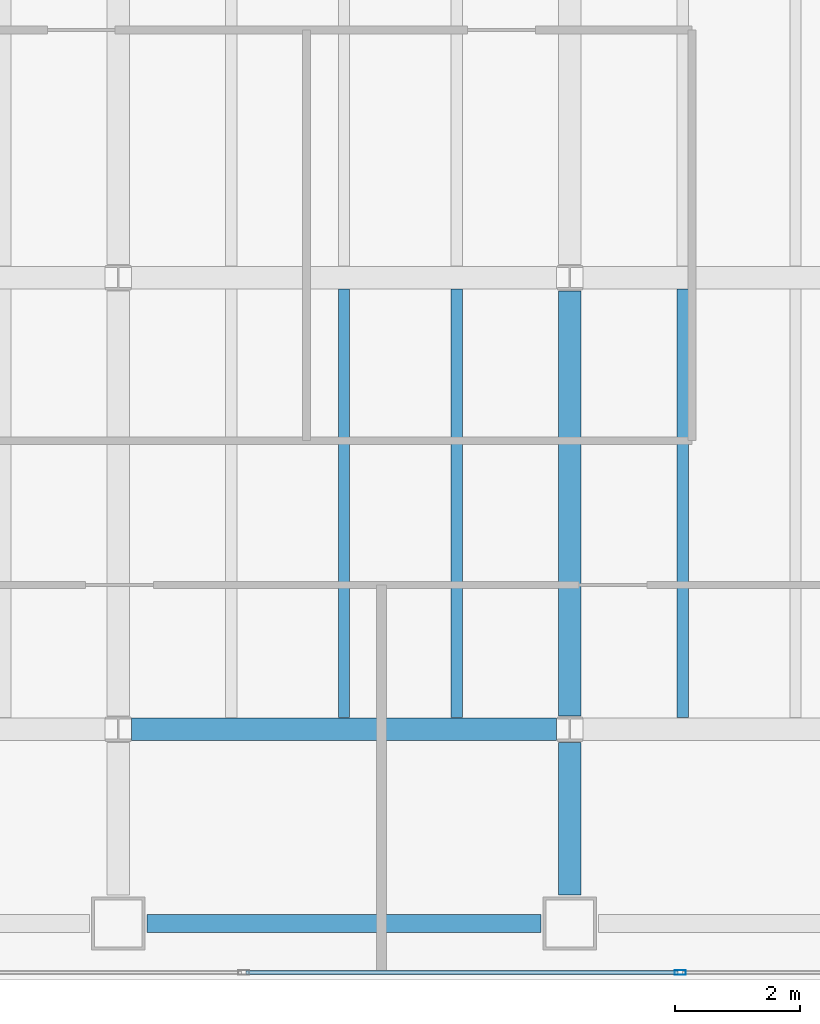
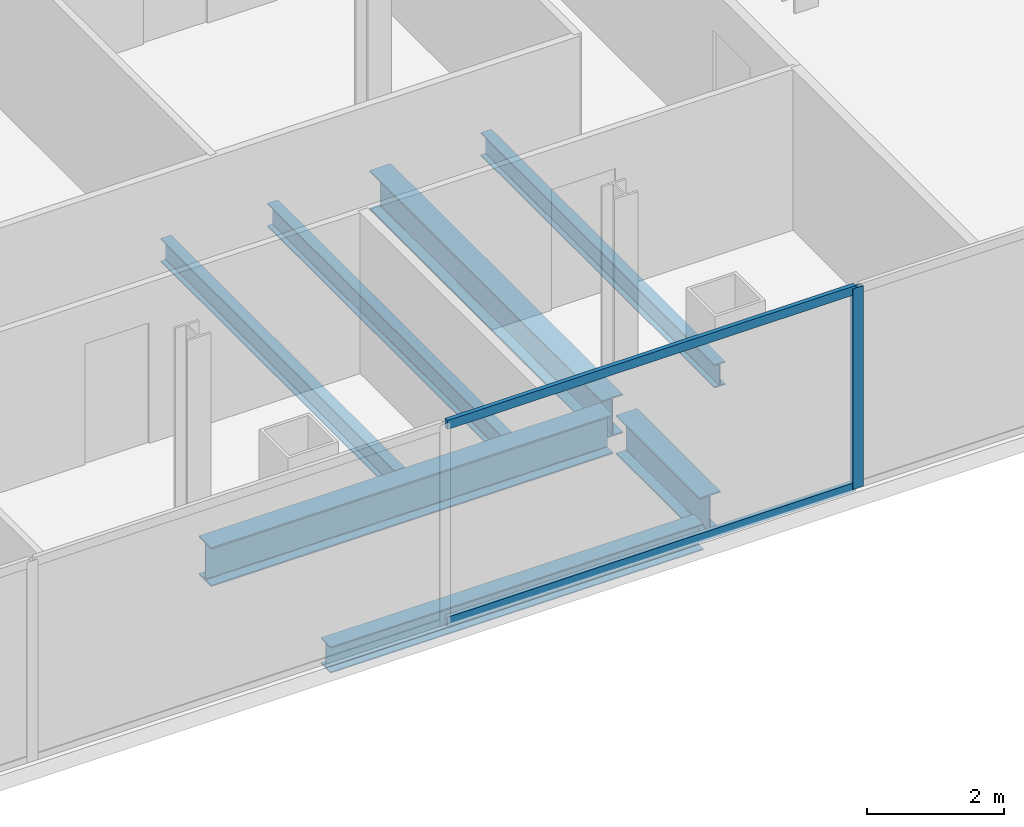
# One storey, part 5 of 23: 7 beams, 3 members, 1 element without a shape of its own.
"""IFC4 building model written with IfcOpenShell, lengths in metres."""

import ifcopenshell
import ifcopenshell.guid

model = None  # the IFC model being written
_history = None  # IfcOwnerHistory: only IFC2X3 demands one
_inside = {}  # id of a spatial element -> (the spatial element, [elements in it])
_under = {}  # id of a project, library or spatial element -> (it, [spatial elements below it])
_declared = {}  # id of a project -> (the project, [libraries it declares])
_typed = {}  # id of a type object -> (the type object, [elements of that type])
_made_of = {}  # id of a material, layer set ... -> (it, [elements and type objects made of it])


def new_model(schema):
    """Start an empty IFC model of exactly this schema.

    Asked for "IFC4X3", IfcOpenShell would pick the latest addendum, in which some entities
    have other attributes; the version numbers below select the first issue.
    IFC2X3 requires an IfcOwnerHistory on every rooted entity: one is made here for all.
    """
    global model, _history
    if schema == "IFC4X3":
        model = ifcopenshell.file(schema_version=(4, 3, 0, 0))
    else:
        model = ifcopenshell.file(schema=schema)
    _inside.clear()
    _under.clear()
    _declared.clear()
    _typed.clear()
    _made_of.clear()
    _history = None
    if model.schema == "IFC2X3":
        org = make("IfcOrganization", Name="unknown")
        user = make(
            "IfcPersonAndOrganization",
            ThePerson=make("IfcPerson", FamilyName="unknown"),
            TheOrganization=org,
        )
        app = make(
            "IfcApplication",
            ApplicationDeveloper=org,
            Version="unknown",
            ApplicationFullName="unknown",
            ApplicationIdentifier="unknown",
        )
        _history = make(
            "IfcOwnerHistory",
            OwningUser=user,
            OwningApplication=app,
            ChangeAction="ADDED",
            CreationDate=0,
        )
    return model


def make(cls, **values):
    """One entity of the class cls with the attributes given. An attribute that is None is left unset."""
    return model.create_entity(
        cls, **{name: value for name, value in values.items() if value is not None}
    )


def rooted(cls, **values):
    """An entity with a GlobalId (a new one), such as an element, a storey or a relation."""
    return make(cls, GlobalId=ifcopenshell.guid.new(), OwnerHistory=_history, **values)


def si_unit(unit_type, name, prefix=None):
    """IfcSIUnit, for example si_unit("LENGTHUNIT", "METRE", prefix="MILLI")."""
    return make("IfcSIUnit", UnitType=unit_type, Prefix=prefix, Name=name)


def assignment(units):
    """IfcUnitAssignment: the units of a project."""
    return None if units is None else make("IfcUnitAssignment", Units=units)


def point(xyz):
    """IfcCartesianPoint."""
    return None if xyz is None else make("IfcCartesianPoint", Coordinates=xyz)


def direction(xyz):
    """IfcDirection."""
    return None if xyz is None else make("IfcDirection", DirectionRatios=xyz)


def frame(location, z_axis=None, x_axis=None):
    """IfcAxis2Placement3D, a coordinate frame: its origin and axes. An axis left out is left unset."""
    return make(
        "IfcAxis2Placement3D",
        Location=point(location),
        Axis=direction(z_axis),
        RefDirection=direction(x_axis),
    )


def frame_2d(location, x_axis=None):
    """IfcAxis2Placement2D, a coordinate frame in the plane: its origin and x axis."""
    return make(
        "IfcAxis2Placement2D", Location=point(location), RefDirection=direction(x_axis)
    )


def origin():
    """The frame at (0, 0, 0) with its axes left unset."""
    return frame((0.0, 0.0, 0.0))


def origin_2d():
    """The frame at (0, 0) in the plane with its x axis left unset."""
    return frame_2d((0.0, 0.0))


def place(relative_to, where):
    """IfcLocalPlacement: puts the frame where relative to a parent placement (None: the world)."""
    return make(
        "IfcLocalPlacement", PlacementRelTo=relative_to, RelativePlacement=where
    )


def context(
    kind, dimensions, precision=None, world=None, true_north=None, identifier=None
):
    """IfcGeometricRepresentationContext, for example the 3D "Model" context."""
    return make(
        "IfcGeometricRepresentationContext",
        ContextIdentifier=identifier,
        ContextType=kind,
        CoordinateSpaceDimension=dimensions,
        Precision=precision,
        WorldCoordinateSystem=world,
        TrueNorth=true_north,
    )


def subcontext(parent, identifier, kind, view, scale=None):
    """IfcGeometricRepresentationSubContext, for example "Body" below "Model"."""
    return make(
        "IfcGeometricRepresentationSubContext",
        ContextIdentifier=identifier,
        ContextType=kind,
        ParentContext=parent,
        TargetScale=scale,
        TargetView=view,
    )


def project(units=None, contexts=None):
    """IfcProject with its units and contexts."""
    return rooted(
        "IfcProject",
        Name="project",
        RepresentationContexts=contexts,
        UnitsInContext=assignment(units),
    )


def spatial(cls, under=None, at=None, **own):
    """A site, building, storey or space (cls), placed at a placement, below another one or the project."""
    s = rooted(cls, ObjectPlacement=at, **own)
    if under is not None:
        _under.setdefault(under.id(), (under, []))[1].append(s)
    return s


def profile(cls, at=None, kind="AREA", **sizes):
    """A parametric profile (cls). Its sizes go by their IFC names, for example OverallWidth=200.0."""
    return make(cls, ProfileType=kind, Position=at, **sizes)


def hollow_rectangle(**sizes):
    """IfcRectangleHollowProfileDef."""
    return profile("IfcRectangleHollowProfileDef", **sizes)


def i_section(**sizes):
    """IfcIShapeProfileDef."""
    return profile("IfcIShapeProfileDef", **sizes)


def extrude(swept, where, along, depth):
    """IfcExtrudedAreaSolid: the profile swept, set in the frame where, extruded along a direction by depth."""
    return make(
        "IfcExtrudedAreaSolid",
        SweptArea=swept,
        Position=where,
        ExtrudedDirection=direction(along),
        Depth=depth,
    )


def shape(context_of_items, identifier, shape_type, items):
    """IfcShapeRepresentation: the items that make up one representation, for example the "Body"."""
    return make(
        "IfcShapeRepresentation",
        ContextOfItems=context_of_items,
        RepresentationIdentifier=identifier,
        RepresentationType=shape_type,
        Items=items,
    )


def material(Name=None, Category=None):
    """IfcMaterial."""
    return make("IfcMaterial", Name=Name, Category=Category)


def material_profile(
    of_material, cross_section, Name=None, Category=None, Priority=None
):
    """IfcMaterialProfile: a cross section and its material."""
    return make(
        "IfcMaterialProfile",
        Name=Name,
        Material=of_material,
        Profile=cross_section,
        Priority=Priority,
        Category=Category,
    )


def profile_set(profiles, Name=None, composite=None):
    """IfcMaterialProfileSet."""
    return make(
        "IfcMaterialProfileSet",
        Name=Name,
        MaterialProfiles=profiles,
        CompositeProfile=composite,
    )


def made_of(thing, what):
    """Note that an element or type object is made of a material, layer set ...; save() writes the relation."""
    if what is not None:
        _made_of.setdefault(what.id(), (what, []))[1].append(thing)
    return thing


def type_object(cls, material=None, **own):
    """A type object (cls), such as IfcWallType, which elements share."""
    return made_of(rooted(cls, **own), material)


def element(
    cls,
    number,
    at=None,
    inside=None,
    cuts=None,
    type_object=None,
    material=None,
    context=None,
    identifier="Body",
    shape_type=None,
    held_by="IfcProductDefinitionShape",
    body=None,
    shapes=None,
    **own,
):
    """One element of the class cls, such as IfcWall. Its Tag is "e" and its number.

    at: its placement. inside: the storey or other place that contains it. cuts: it is an
    opening in that element (IfcRelVoidsElement). A single representation is given by context,
    identifier, shape_type and body (its items); several are given by shapes. held_by: the class
    of the entity that holds the representations. save() writes the other relations.
    """
    e = rooted(cls, Tag="e%d" % number, ObjectPlacement=at, **own)
    if body is not None:
        shapes = [shape(context, identifier, shape_type, body)]
    if shapes is not None:
        e.Representation = make(held_by, Representations=shapes)
    if inside is not None:
        _inside.setdefault(inside.id(), (inside, []))[1].append(e)
    if cuts is not None:
        rooted(
            "IfcRelVoidsElement", RelatingBuildingElement=cuts, RelatedOpeningElement=e
        )
    if type_object is not None:
        _typed.setdefault(type_object.id(), (type_object, []))[1].append(e)
    return made_of(e, material)


def aggregate(whole, parts):
    """IfcRelAggregates: a whole, such as a stair, and the parts it consists of."""
    return rooted("IfcRelAggregates", RelatingObject=whole, RelatedObjects=parts)


def save(model, path):
    """Write the relations noted so far, then the file.

    IfcRelAggregates (storeys below a building ...), IfcRelContainedInSpatialStructure (elements
    in a storey), IfcRelDefinesByType, IfcRelAssociatesMaterial and IfcRelDeclares: one each for
    every whole, place, type object, material and project.
    """
    for whole, parts in _under.values():
        aggregate(whole, parts)
    for where, things in _inside.values():
        rooted(
            "IfcRelContainedInSpatialStructure",
            RelatedElements=things,
            RelatingStructure=where,
        )
    for kind, things in _typed.values():
        rooted("IfcRelDefinesByType", RelatedObjects=things, RelatingType=kind)
    for what, things in _made_of.values():
        rooted("IfcRelAssociatesMaterial", RelatedObjects=things, RelatingMaterial=what)
    for by, libraries in _declared.values():
        rooted("IfcRelDeclares", RelatingContext=by, RelatedDefinitions=libraries)
    model.write(path)


model = new_model("IFC4")

# Units and contexts
model_context = context("Model", 3, precision=1e-05, world=origin(), true_north=direction((0.0, 1.0)))
body_context = subcontext(model_context, "Body", "Model", "MODEL_VIEW")
ifc_project = project(units=[si_unit("LENGTHUNIT", "METRE"), si_unit("AREAUNIT", "SQUARE_METRE"), si_unit("VOLUMEUNIT", "CUBIC_METRE"), si_unit("PLANEANGLEUNIT", "RADIAN"), si_unit("MASSUNIT", "GRAM", prefix="KILO")], contexts=[model_context])

# Site, building, storey
site_placement = place(None, origin())
site = spatial("IfcSite", under=ifc_project, at=site_placement, CompositionType="ELEMENT")
building_placement = place(site_placement, origin())
building = spatial("IfcBuilding", under=site, at=building_placement, Name="Cobrela Telecom Tower", CompositionType="ELEMENT")
storey_placement = place(building_placement, frame((0.0, 0.0, 148.39990234375)))
storey = spatial("IfcBuildingStorey", under=building, at=storey_placement, Name="L37", CompositionType="ELEMENT", Elevation=148.39990234375)

# Beams
ifc_material_1 = material(Name="Steel ASTM A992 Grade 50", Category="steel")
ifc_material_profile_1 = material_profile(ifc_material_1, i_section(OverallWidth=0.35595703125, OverallDepth=0.696044921875, WebThickness=0.015380859375, FlangeThickness=0.024658203125, FilletRadius=0.01806640625, at=origin_2d()), Name="W27X146")
ifc_profile_set_1 = profile_set([ifc_material_profile_1], Name="Steel ASTM A992 Grade 50")
beam_type_1 = type_object("IfcBeamType", Name="BM-GIRD-05", PredefinedType="USERDEFINED", material=ifc_profile_set_1)
beam_1_placement = place(storey_placement, frame((21.8095703125, 7.199951171875, -0.617919921875), z_axis=(1.0, 0.0, 0.0), x_axis=(0.0, 1.0, 0.0)))
element("IfcBeam", 1, at=beam_1_placement, inside=storey, type_object=beam_type_1, Name="L37 Primary Girder X09", ObjectType="GIRDER", PredefinedType="USERDEFINED", context=body_context, shape_type="SweptSolid", body=[
    extrude(i_section(OverallWidth=0.35595703125, OverallDepth=0.696044921875, WebThickness=0.015380859375, FlangeThickness=0.024658203125, FilletRadius=0.01806640625, at=origin_2d()), origin(), (0.0, 0.0, 1.0), 6.781005859375),
])
beam_2_placement = place(storey_placement, frame((28.800048828125, 4.554931640625, -0.617919921875), z_axis=(0.0, 1.0, 0.0), x_axis=(-1.0, 0.0, 0.0)))
element("IfcBeam", 2, at=beam_2_placement, inside=storey, type_object=beam_type_1, Name="L37 Primary Girder Y46", ObjectType="GIRDER", PredefinedType="USERDEFINED", context=body_context, shape_type="SweptSolid", body=[
    extrude(i_section(OverallWidth=0.35595703125, OverallDepth=0.696044921875, WebThickness=0.015380859375, FlangeThickness=0.024658203125, FilletRadius=0.01806640625, at=origin_2d()), origin(), (0.0, 0.0, 1.0), 2.435546875),
])
beam_3_placement = place(storey_placement, frame((28.800048828125, 7.409423828125, -0.617919921875), z_axis=(0.0, 1.0, 0.0), x_axis=(-1.0, 0.0, 0.0)))
element("IfcBeam", 3, at=beam_3_placement, inside=storey, type_object=beam_type_1, Name="L37 Primary Girder Y47", ObjectType="GIRDER", PredefinedType="USERDEFINED", context=body_context, shape_type="SweptSolid", body=[
    extrude(i_section(OverallWidth=0.35595703125, OverallDepth=0.696044921875, WebThickness=0.015380859375, FlangeThickness=0.024658203125, FilletRadius=0.01806640625, at=origin_2d()), origin(), (0.0, 0.0, 1.0), 6.781005859375),
])
ifc_material_profile_2 = material_profile(ifc_material_1, i_section(OverallWidth=0.179931640625, OverallDepth=0.4169921875, WebThickness=0.010986328125, FlangeThickness=0.01806640625, FilletRadius=0.011962890625, at=origin_2d()), Name="W16X57")
ifc_profile_set_2 = profile_set([ifc_material_profile_2], Name="Steel ASTM A992 Grade 50")
beam_type_2 = type_object("IfcBeamType", Name="BM-JOIST-04", PredefinedType="JOIST", material=ifc_profile_set_2)
for number, where, z_axis, x_axis, name in (
    (4, (25.199951171875, 7.383056640625, -0.478515625), (0.0, 1.0, 0.0), (-1.0, 0.0, 0.0), "L37 Secondary Composite Floor Beam J23"),
    (5, (27.0, 7.383056640625, -0.478515625), (0.0, 1.0, 0.0), (-1.0, 0.0, 0.0), "L37 Secondary Composite Floor Beam J25"),
    (6, (30.60009765625, 7.383056640625, -0.478515625), (0.0, 1.0, 0.0), (-1.0, 0.0, 0.0), "L37 Secondary Composite Floor Beam J27"),
):
    element("IfcBeam", number, at=place(storey_placement, frame(where, z_axis=z_axis, x_axis=x_axis)), inside=storey, type_object=beam_type_2, Name=name, PredefinedType="JOIST", context=body_context, shape_type="SweptSolid", body=[
        extrude(i_section(OverallWidth=0.179931640625, OverallDepth=0.4169921875, WebThickness=0.010986328125, FlangeThickness=0.01806640625, FilletRadius=0.011962890625, at=origin_2d()), origin(), (0.0, 0.0, 1.0), 6.833984375),
    ])
ifc_material_profile_3 = material_profile(ifc_material_1, i_section(OverallWidth=0.281982421875, OverallDepth=0.467041015625, WebThickness=0.01220703125, FlangeThickness=0.01953125, FilletRadius=0.012939453125, at=origin_2d()), Name="W18X86")
ifc_profile_set_3 = profile_set([ifc_material_profile_3], Name="Steel ASTM A992 Grade 50")
beam_type_3 = type_object("IfcBeamType", Name="BM-SPAND-04", PredefinedType="SPANDREL", material=ifc_profile_set_3)
beam_4_placement = place(storey_placement, frame((22.054931640625, 4.10009765625, -0.50341796875), z_axis=(1.0, 0.0, 0.0), x_axis=(0.0, 1.0, 0.0)))
element("IfcBeam", 7, at=beam_4_placement, inside=storey, type_object=beam_type_3, Name="L37 Perimeter Spandrel X03", PredefinedType="SPANDREL", context=body_context, shape_type="SweptSolid", body=[
    extrude(i_section(OverallWidth=0.281982421875, OverallDepth=0.467041015625, WebThickness=0.01220703125, FlangeThickness=0.01953125, FilletRadius=0.012939453125, at=origin_2d()), origin(), (0.0, 0.0, 1.0), 6.2900390625),
])

# Curtain wall, members
ifc_material_2 = material(Name="Anodized Bronze Aluminium 6063-T6", Category="aluminium")
curtain_wall_type = type_object("IfcCurtainWallType", Name="CW-SYS-TEL", PredefinedType="USERDEFINED", material=ifc_material_2)
curtain_wall_placement = place(storey_placement, origin())
curtain_wall = element("IfcCurtainWall", 8, at=curtain_wall_placement, inside=storey, type_object=curtain_wall_type, Name="L37 Unitised Bronze Curtain Wall 17", ObjectType="UNITISED CURTAIN WALL", PredefinedType="USERDEFINED")
ifc_material_profile_4 = material_profile(ifc_material_2, hollow_rectangle(XDim=0.074951171875, YDim=0.179931640625, WallThickness=0.00390625, at=origin_2d()), Name="ALU 75x180x4")
ifc_profile_set_4 = profile_set([ifc_material_profile_4], Name="Anodized Bronze Aluminium 6063-T6")
member_type_1 = type_object("IfcMemberType", Name="CW-SYS-TEL-MUL", PredefinedType="MULLION", material=ifc_profile_set_4)
member_1_placement = place(storey_placement, frame((30.563232421875, 3.320068359375, 0.0), z_axis=(0.0, 0.0, 1.0), x_axis=(0.0, -1.0, 0.0)))
member_1 = element("IfcMember", 9, at=member_1_placement, type_object=member_type_1, Name="CW-TEL mullion 3", PredefinedType="MULLION", context=body_context, shape_type="SweptSolid", body=[
    extrude(hollow_rectangle(XDim=0.074951171875, YDim=0.179931640625, WallThickness=0.00390625, at=origin_2d()), origin(), (0.0, 0.0, 1.0), 3.580078125),
])
ifc_material_profile_5 = material_profile(ifc_material_2, hollow_rectangle(XDim=0.070068359375, YDim=0.159912109375, WallThickness=0.00390625, at=origin_2d()), Name="ALU 70x160x4")
ifc_profile_set_5 = profile_set([ifc_material_profile_5], Name="Anodized Bronze Aluminium 6063-T6")
member_type_2 = type_object("IfcMemberType", Name="CW-SYS-TEL-TRN", PredefinedType="USERDEFINED", material=ifc_profile_set_5)
member_2_placement = place(storey_placement, frame((30.52587890625, 3.320068359375, 0.03515625), z_axis=(-1.0, 0.0, 0.0), x_axis=(0.0, -1.0, 0.0)))
member_2 = element("IfcMember", 10, at=member_2_placement, type_object=member_type_2, Name="CW-TEL transom 3.1", ObjectType="TRANSOM", PredefinedType="USERDEFINED", context=body_context, shape_type="SweptSolid", body=[
    extrude(hollow_rectangle(XDim=0.070068359375, YDim=0.159912109375, WallThickness=0.00390625, at=origin_2d()), origin(), (0.0, 0.0, 1.0), 6.888427734375),
])
member_3_placement = place(storey_placement, frame((30.52587890625, 3.320068359375, 3.545166015625), z_axis=(-1.0, 0.0, 0.0), x_axis=(0.0, -1.0, 0.0)))
member_3 = element("IfcMember", 11, at=member_3_placement, type_object=member_type_2, Name="CW-TEL transom 3.2", ObjectType="TRANSOM", PredefinedType="USERDEFINED", context=body_context, shape_type="SweptSolid", body=[
    extrude(hollow_rectangle(XDim=0.070068359375, YDim=0.159912109375, WallThickness=0.00390625, at=origin_2d()), origin(), (0.0, 0.0, 1.0), 6.888427734375),
])
aggregate(curtain_wall, [member_1, member_2, member_3])

save(model, "model.ifc")
